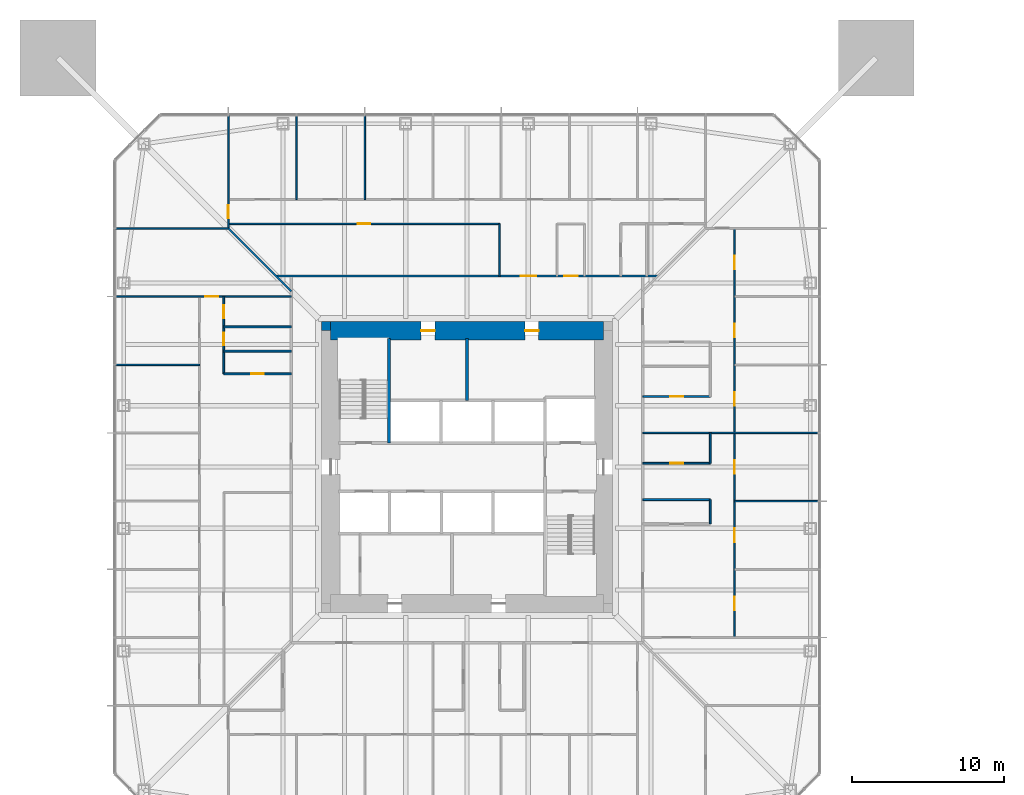
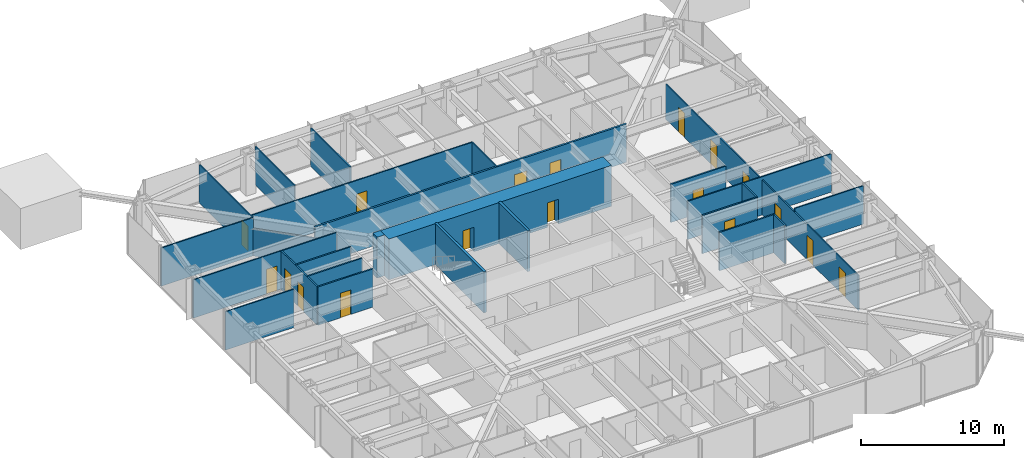
# One storey, part 16 of 26: 26 walls, 18 doors, 18 openings.
"""IFC4 building model written with IfcOpenShell, lengths in metres."""

from ifc_helpers import new_model, si_unit, direction, frame, frame_2d, origin, place, context, subcontext, project, spatial, rectangle, extrude, material, layer, layer_set, type_object, element, fill, save


model = new_model("IFC4")

# Units and contexts
model_context = context("Model", 3, precision=1e-05, world=origin(), true_north=direction((0.0, 1.0)))
body_context = subcontext(model_context, "Body", "Model", "MODEL_VIEW")
ifc_project = project(units=[si_unit("LENGTHUNIT", "METRE"), si_unit("AREAUNIT", "SQUARE_METRE"), si_unit("VOLUMEUNIT", "CUBIC_METRE"), si_unit("PLANEANGLEUNIT", "RADIAN"), si_unit("MASSUNIT", "GRAM", prefix="KILO")], contexts=[model_context])

# Site, building, storey
site_placement = place(None, origin())
site = spatial("IfcSite", under=ifc_project, at=site_placement, CompositionType="ELEMENT")
building_placement = place(site_placement, origin())
building = spatial("IfcBuilding", under=site, at=building_placement, Name="Iwan Alto Co-Living Towers", CompositionType="ELEMENT")
storey_placement = place(building_placement, frame((0.0, 0.0, 39.5)))
storey = spatial("IfcBuildingStorey", under=building, at=storey_placement, Name="L10", CompositionType="ELEMENT", Elevation=39.5)

# Wall, openings, doors
ifc_material_1 = material(Name="Gypsum board")
ifc_layer_1 = layer(ifc_material_1, 0.02490234375, Name="Board", Category="Finish")
ifc_material_2 = material(Name="Steel ASTM A1003 ST33H cold-formed studs", Category="steel")
ifc_layer_2 = layer(ifc_material_2, 0.10009765625, Name="Studs", Category="Framing")
ifc_layer_3 = layer(ifc_material_1, 0.02490234375, Name="Board", Category="Finish")
ifc_layer_set_1 = layer_set([ifc_layer_1, ifc_layer_2, ifc_layer_3], Name="CORRIDOR WALL 150")
wall_type_1 = type_object("IfcWallType", Name="CORRIDOR WALL 150", PredefinedType="PARTITIONING", material=ifc_layer_set_1)
wall_1_placement = place(storey_placement, frame((-12.60009765625, 12.60009765625, 0.0), z_axis=(0.0, 0.0, 1.0), x_axis=(1.0, 0.0, 0.0)))
wall_1 = element("IfcWall", 1, at=wall_1_placement, inside=storey, type_object=wall_type_1, Name="Partition L10", PredefinedType="PARTITIONING", context=body_context, shape_type="SweptSolid", body=[
    extrude(rectangle(XDim=25.2001953125, YDim=0.14990234375, at=frame_2d((12.60009765625, 0.0))), origin(), (0.0, 0.0, 1.0), 3.27001953125),
])
opening_1_placement = place(wall_1_placement, frame((16.14990234375, 0.0, 0.0)))
opening_1 = element("IfcOpeningElement", 2, at=opening_1_placement, cuts=wall_1, Name="Opening D3", PredefinedType="OPENING", context=body_context, shape_type="SweptSolid", body=[
    extrude(rectangle(XDim=1.0, YDim=2.10009765625, at=frame_2d((0.5, 1.050048828125))), frame((0.0, 0.0849609375, 0.0), z_axis=(0.0, -1.0, 0.0), x_axis=(1.0, 0.0, 0.0)), (0.0, 0.0, 1.0), 0.169921875),
])
opening_2_placement = place(wall_1_placement, frame((19.0, 0.0, 0.0)))
opening_2 = element("IfcOpeningElement", 3, at=opening_2_placement, cuts=wall_1, Name="Opening D8", PredefinedType="OPENING", context=body_context, shape_type="SweptSolid", body=[
    extrude(rectangle(XDim=0.89990234375, YDim=2.10009765625, at=frame_2d((0.449951171875, 1.050048828125))), frame((0.0, 0.0849609375, 0.0), z_axis=(0.0, -1.0, 0.0), x_axis=(1.0, 0.0, 0.0)), (0.0, 0.0, 1.0), 0.169921875),
])
ifc_material_3 = material(Name="Steel frame with timber leaf", Category="steel")
door_type_1 = type_object("IfcDoorType", Name="FLAT ENTRANCE DOOR FD30S 1000X2100", OperationType="SINGLE_SWING_LEFT", PredefinedType="DOOR", material=ifc_material_3)
door_1_placement = place(opening_1_placement, origin())
door_1 = element("IfcDoor", 4, at=door_1_placement, inside=storey, type_object=door_type_1, Name="Cluster lounge door L10", OperationType="SINGLE_SWING_LEFT", OverallHeight=2.10009765625, OverallWidth=1.0, PredefinedType="DOOR", context=body_context, shape_type="SweptSolid", body=[
    extrude(rectangle(XDim=1.0, YDim=2.10009765625, at=frame_2d((0.5, 1.050048828125))), frame((0.0, 0.02490234375, 0.0), z_axis=(0.0, -1.0, 0.0), x_axis=(1.0, 0.0, 0.0)), (0.0, 0.0, 1.0), 0.050048828125),
])
fill(opening_1, door_1)
ifc_material_4 = material(Name="Steel frame with timber leaf", Category="steel")
door_type_2 = type_object("IfcDoorType", Name="RISER DOOR FD120 900X2100", OperationType="SINGLE_SWING_LEFT", PredefinedType="DOOR", material=ifc_material_4)
door_2_placement = place(opening_2_placement, origin())
door_2 = element("IfcDoor", 5, at=door_2_placement, inside=storey, type_object=door_type_2, Name="Cleaner's cupboard door L10", OperationType="SINGLE_SWING_LEFT", OverallHeight=2.10009765625, OverallWidth=0.89990234375, PredefinedType="DOOR", context=body_context, shape_type="SweptSolid", body=[
    extrude(rectangle(XDim=0.89990234375, YDim=2.10009765625, at=frame_2d((0.449951171875, 1.050048828125))), frame((0.0, 0.02490234375, 0.0), z_axis=(0.0, -1.0, 0.0), x_axis=(1.0, 0.0, 0.0)), (0.0, 0.0, 1.0), 0.050048828125),
])
fill(opening_2, door_2)

# Walls
ifc_layer_4 = layer(ifc_material_1, 0.012451171875, Name="Board", Category="Finish")
ifc_layer_5 = layer(ifc_material_2, 0.074951171875, Name="Studs", Category="Framing")
ifc_layer_6 = layer(ifc_material_1, 0.012451171875, Name="Board", Category="Finish")
ifc_layer_set_2 = layer_set([ifc_layer_4, ifc_layer_5, ifc_layer_6], Name="PARTITION 100")
wall_type_2 = type_object("IfcWallType", Name="PARTITION 100", PredefinedType="PARTITIONING", material=ifc_layer_set_2)
wall_2_placement = place(storey_placement, frame((17.64990234375, -2.25, 0.0), z_axis=(0.0, 0.0, 1.0), x_axis=(1.0, 0.0, 0.0)))
element("IfcWall", 6, at=wall_2_placement, inside=storey, type_object=wall_type_2, Name="Partition L10", PredefinedType="PARTITIONING", context=body_context, shape_type="SweptSolid", body=[
    extrude(rectangle(XDim=5.5400390625, YDim=0.10009765625, at=frame_2d((2.77001953125, 0.0))), origin(), (0.0, 0.0, 1.0), 3.27001953125),
])
wall_3_placement = place(storey_placement, frame((11.60009765625, 2.25, 0.0), z_axis=(0.0, 0.0, 1.0), x_axis=(1.0, 0.0, 0.0)))
element("IfcWall", 7, at=wall_3_placement, inside=storey, type_object=wall_type_2, Name="Partition L10", PredefinedType="PARTITIONING", context=body_context, shape_type="SweptSolid", body=[
    extrude(rectangle(XDim=11.58984375, YDim=0.10009765625, at=frame_2d((5.794921875, 0.0))), origin(), (0.0, 0.0, 1.0), 3.27001953125),
])
wall_4_placement = place(storey_placement, frame((-23.18994140625, 6.75, 0.0), z_axis=(0.0, 0.0, 1.0), x_axis=(1.0, 0.0, 0.0)))
element("IfcWall", 8, at=wall_4_placement, inside=storey, type_object=wall_type_2, Name="Partition L10", PredefinedType="PARTITIONING", context=body_context, shape_type="SweptSolid", body=[
    extrude(rectangle(XDim=5.5400390625, YDim=0.10009765625, at=frame_2d((2.77001953125, 0.0))), origin(), (0.0, 0.0, 1.0), 3.27001953125),
])

# Wall, opening, door
wall_5_placement = place(storey_placement, frame((-23.18994140625, 11.25, 0.0), z_axis=(0.0, 0.0, 1.0), x_axis=(1.0, 0.0, 0.0)))
wall_5 = element("IfcWall", 9, at=wall_5_placement, inside=storey, type_object=wall_type_2, Name="Partition L10", PredefinedType="PARTITIONING", context=body_context, shape_type="SweptSolid", body=[
    extrude(rectangle(XDim=11.58984375, YDim=0.10009765625, at=frame_2d((5.794921875, 0.0))), origin(), (0.0, 0.0, 1.0), 3.27001953125),
])
opening_3_placement = place(wall_5_placement, frame((5.9150390625, 0.0, 0.0)))
opening_3 = element("IfcOpeningElement", 10, at=opening_3_placement, cuts=wall_5, Name="Opening D2", PredefinedType="OPENING", context=body_context, shape_type="SweptSolid", body=[
    extrude(rectangle(XDim=0.85009765625, YDim=2.10009765625, at=frame_2d((0.425048828125, 1.050048828125))), frame((0.0, 0.06005859375, 0.0), z_axis=(0.0, -1.0, 0.0), x_axis=(1.0, 0.0, 0.0)), (0.0, 0.0, 1.0), 0.1201171875),
])
ifc_material_5 = material(Name="Timber leaf in steel frame", Category="steel")
door_type_3 = type_object("IfcDoorType", Name="ROOM DOOR 850X2100", OperationType="SINGLE_SWING_LEFT", PredefinedType="DOOR", material=ifc_material_5)
door_3_placement = place(opening_3_placement, frame((0.85009765625, 0.0, 0.0), z_axis=(0.0, 0.0, 1.0), x_axis=(-1.0, 0.0, 0.0)))
door_3 = element("IfcDoor", 11, at=door_3_placement, inside=storey, type_object=door_type_3, Name="Iwan study lounge door L10", OperationType="SINGLE_SWING_RIGHT", OverallHeight=2.10009765625, OverallWidth=0.85009765625, PredefinedType="DOOR", context=body_context, shape_type="SweptSolid", body=[
    extrude(rectangle(XDim=0.85009765625, YDim=2.10009765625, at=frame_2d((0.425048828125, 1.050048828125))), frame((0.0, 0.02490234375, 0.0), z_axis=(0.0, -1.0, 0.0), x_axis=(1.0, 0.0, 0.0)), (0.0, 0.0, 1.0), 0.050048828125),
])
fill(opening_3, door_3)

# Wall
wall_6_placement = place(storey_placement, frame((-23.18994140625, 15.75, 0.0), z_axis=(0.0, 0.0, 1.0), x_axis=(1.0, 0.0, 0.0)))
element("IfcWall", 12, at=wall_6_placement, inside=storey, type_object=wall_type_2, Name="Partition L10", PredefinedType="PARTITIONING", context=body_context, shape_type="SweptSolid", body=[
    extrude(rectangle(XDim=7.43994140625, YDim=0.10009765625, at=frame_2d((3.719970703125, 0.0))), origin(), (0.0, 0.0, 1.0), 3.27001953125),
])

# Wall, opening, door
wall_7_placement = place(storey_placement, frame((-15.75, 16.050048828125, 0.0), z_axis=(0.0, 0.0, 1.0), x_axis=(1.0, 0.0, 0.0)))
wall_7 = element("IfcWall", 13, at=wall_7_placement, inside=storey, type_object=wall_type_2, Name="Partition L10", PredefinedType="PARTITIONING", context=body_context, shape_type="SweptSolid", body=[
    extrude(rectangle(XDim=17.89990234375, YDim=0.10009765625, at=frame_2d((8.949951171875, 0.0))), origin(), (0.0, 0.0, 1.0), 3.27001953125),
])
opening_4_placement = place(wall_7_placement, frame((8.52490234375, 0.0, 0.0)))
opening_4 = element("IfcOpeningElement", 14, at=opening_4_placement, cuts=wall_7, Name="Opening D2", PredefinedType="OPENING", context=body_context, shape_type="SweptSolid", body=[
    extrude(rectangle(XDim=0.85009765625, YDim=2.10009765625, at=frame_2d((0.425048828125, 1.050048828125))), frame((0.0, 0.06005859375, 0.0), z_axis=(0.0, -1.0, 0.0), x_axis=(1.0, 0.0, 0.0)), (0.0, 0.0, 1.0), 0.1201171875),
])
door_4_placement = place(opening_4_placement, origin())
door_4 = element("IfcDoor", 15, at=door_4_placement, inside=storey, type_object=door_type_3, Name="Study lounge door L10", OperationType="SINGLE_SWING_LEFT", OverallHeight=2.10009765625, OverallWidth=0.85009765625, PredefinedType="DOOR", context=body_context, shape_type="SweptSolid", body=[
    extrude(rectangle(XDim=0.85009765625, YDim=2.10009765625, at=frame_2d((0.425048828125, 1.050048828125))), frame((0.0, 0.02490234375, 0.0), z_axis=(0.0, -1.0, 0.0), x_axis=(1.0, 0.0, 0.0)), (0.0, 0.0, 1.0), 0.050048828125),
])
fill(opening_4, door_4)

# Wall, openings, doors
wall_8_placement = place(storey_placement, frame((17.64990234375, -11.25, 0.0), z_axis=(0.0, 0.0, 1.0), x_axis=(0.0, 1.0, 0.0)))
wall_8 = element("IfcWall", 16, at=wall_8_placement, inside=storey, type_object=wall_type_2, Name="Partition L10", PredefinedType="PARTITIONING", context=body_context, shape_type="SweptSolid", body=[
    extrude(rectangle(XDim=27.0, YDim=0.10009765625, at=frame_2d((13.5, 0.0))), origin(), (0.0, 0.0, 1.0), 3.0),
])
opening_5_placement = place(wall_8_placement, frame((1.800048828125, 0.0, 0.0)))
opening_5 = element("IfcOpeningElement", 17, at=opening_5_placement, cuts=wall_8, Name="Opening D1", PredefinedType="OPENING", context=body_context, shape_type="SweptSolid", body=[
    extrude(rectangle(XDim=0.89990234375, YDim=2.10009765625, at=frame_2d((0.449951171875, 1.050048828125))), frame((0.0, 0.06005859375, 0.0), z_axis=(0.0, -1.0, 0.0), x_axis=(1.0, 0.0, 0.0)), (0.0, 0.0, 1.0), 0.1201171875),
])
opening_6_placement = place(wall_8_placement, frame((6.300048828125, 0.0, 0.0)))
opening_6 = element("IfcOpeningElement", 18, at=opening_6_placement, cuts=wall_8, Name="Opening D1", PredefinedType="OPENING", context=body_context, shape_type="SweptSolid", body=[
    extrude(rectangle(XDim=0.89990234375, YDim=2.10009765625, at=frame_2d((0.449951171875, 1.050048828125))), frame((0.0, 0.06005859375, 0.0), z_axis=(0.0, -1.0, 0.0), x_axis=(1.0, 0.0, 0.0)), (0.0, 0.0, 1.0), 0.1201171875),
])
opening_7_placement = place(wall_8_placement, frame((10.800048828125, 0.0, 0.0)))
opening_7 = element("IfcOpeningElement", 19, at=opening_7_placement, cuts=wall_8, Name="Opening D1", PredefinedType="OPENING", context=body_context, shape_type="SweptSolid", body=[
    extrude(rectangle(XDim=0.89990234375, YDim=2.10009765625, at=frame_2d((0.449951171875, 1.050048828125))), frame((0.0, 0.06005859375, 0.0), z_axis=(0.0, -1.0, 0.0), x_axis=(1.0, 0.0, 0.0)), (0.0, 0.0, 1.0), 0.1201171875),
])
opening_8_placement = place(wall_8_placement, frame((15.300048828125, 0.0, 0.0)))
opening_8 = element("IfcOpeningElement", 20, at=opening_8_placement, cuts=wall_8, Name="Opening D1", PredefinedType="OPENING", context=body_context, shape_type="SweptSolid", body=[
    extrude(rectangle(XDim=0.89990234375, YDim=2.10009765625, at=frame_2d((0.449951171875, 1.050048828125))), frame((0.0, 0.06005859375, 0.0), z_axis=(0.0, -1.0, 0.0), x_axis=(1.0, 0.0, 0.0)), (0.0, 0.0, 1.0), 0.1201171875),
])
opening_9_placement = place(wall_8_placement, frame((19.800048828125, 0.0, 0.0)))
opening_9 = element("IfcOpeningElement", 21, at=opening_9_placement, cuts=wall_8, Name="Opening D1", PredefinedType="OPENING", context=body_context, shape_type="SweptSolid", body=[
    extrude(rectangle(XDim=0.89990234375, YDim=2.10009765625, at=frame_2d((0.449951171875, 1.050048828125))), frame((0.0, 0.06005859375, 0.0), z_axis=(0.0, -1.0, 0.0), x_axis=(1.0, 0.0, 0.0)), (0.0, 0.0, 1.0), 0.1201171875),
])
opening_10_placement = place(wall_8_placement, frame((24.300048828125, 0.0, 0.0)))
opening_10 = element("IfcOpeningElement", 22, at=opening_10_placement, cuts=wall_8, Name="Opening D1", PredefinedType="OPENING", context=body_context, shape_type="SweptSolid", body=[
    extrude(rectangle(XDim=0.89990234375, YDim=2.10009765625, at=frame_2d((0.449951171875, 1.050048828125))), frame((0.0, 0.06005859375, 0.0), z_axis=(0.0, -1.0, 0.0), x_axis=(1.0, 0.0, 0.0)), (0.0, 0.0, 1.0), 0.1201171875),
])
ifc_material_6 = material(Name="Timber leaf in steel frame", Category="steel")
door_type_4 = type_object("IfcDoorType", Name="BEDROOM DOOR 900X2100", OperationType="SINGLE_SWING_LEFT", PredefinedType="DOOR", material=ifc_material_6)
door_5_placement = place(opening_5_placement, origin())
door_5 = element("IfcDoor", 23, at=door_5_placement, inside=storey, type_object=door_type_4, Name="Study bedroom door L10", OperationType="SINGLE_SWING_LEFT", OverallHeight=2.10009765625, OverallWidth=0.89990234375, PredefinedType="DOOR", context=body_context, shape_type="SweptSolid", body=[
    extrude(rectangle(XDim=0.89990234375, YDim=2.10009765625, at=frame_2d((0.449951171875, 1.050048828125))), frame((0.0, 0.02490234375, 0.0), z_axis=(0.0, -1.0, 0.0), x_axis=(1.0, 0.0, 0.0)), (0.0, 0.0, 1.0), 0.050048828125),
])
fill(opening_5, door_5)
door_6_placement = place(opening_6_placement, origin())
door_6 = element("IfcDoor", 24, at=door_6_placement, inside=storey, type_object=door_type_4, Name="Study bedroom door L10", OperationType="SINGLE_SWING_LEFT", OverallHeight=2.10009765625, OverallWidth=0.89990234375, PredefinedType="DOOR", context=body_context, shape_type="SweptSolid", body=[
    extrude(rectangle(XDim=0.89990234375, YDim=2.10009765625, at=frame_2d((0.449951171875, 1.050048828125))), frame((0.0, 0.02490234375, 0.0), z_axis=(0.0, -1.0, 0.0), x_axis=(1.0, 0.0, 0.0)), (0.0, 0.0, 1.0), 0.050048828125),
])
fill(opening_6, door_6)
door_7_placement = place(opening_7_placement, origin())
door_7 = element("IfcDoor", 25, at=door_7_placement, inside=storey, type_object=door_type_4, Name="Study bedroom door L10", OperationType="SINGLE_SWING_RIGHT", OverallHeight=2.10009765625, OverallWidth=0.89990234375, PredefinedType="DOOR", context=body_context, shape_type="SweptSolid", body=[
    extrude(rectangle(XDim=0.89990234375, YDim=2.10009765625, at=frame_2d((0.449951171875, 1.050048828125))), frame((0.0, 0.02490234375, 0.0), z_axis=(0.0, -1.0, 0.0), x_axis=(1.0, 0.0, 0.0)), (0.0, 0.0, 1.0), 0.050048828125),
])
fill(opening_7, door_7)
door_8_placement = place(opening_8_placement, origin())
door_8 = element("IfcDoor", 26, at=door_8_placement, inside=storey, type_object=door_type_4, Name="Study bedroom door L10", OperationType="SINGLE_SWING_LEFT", OverallHeight=2.10009765625, OverallWidth=0.89990234375, PredefinedType="DOOR", context=body_context, shape_type="SweptSolid", body=[
    extrude(rectangle(XDim=0.89990234375, YDim=2.10009765625, at=frame_2d((0.449951171875, 1.050048828125))), frame((0.0, 0.02490234375, 0.0), z_axis=(0.0, -1.0, 0.0), x_axis=(1.0, 0.0, 0.0)), (0.0, 0.0, 1.0), 0.050048828125),
])
fill(opening_8, door_8)
door_9_placement = place(opening_9_placement, origin())
door_9 = element("IfcDoor", 27, at=door_9_placement, inside=storey, type_object=door_type_4, Name="Study bedroom door L10", OperationType="SINGLE_SWING_LEFT", OverallHeight=2.10009765625, OverallWidth=0.89990234375, PredefinedType="DOOR", context=body_context, shape_type="SweptSolid", body=[
    extrude(rectangle(XDim=0.89990234375, YDim=2.10009765625, at=frame_2d((0.449951171875, 1.050048828125))), frame((0.0, 0.02490234375, 0.0), z_axis=(0.0, -1.0, 0.0), x_axis=(1.0, 0.0, 0.0)), (0.0, 0.0, 1.0), 0.050048828125),
])
fill(opening_9, door_9)
door_10_placement = place(opening_10_placement, origin())
door_10 = element("IfcDoor", 28, at=door_10_placement, inside=storey, type_object=door_type_4, Name="Study bedroom door L10", OperationType="SINGLE_SWING_RIGHT", OverallHeight=2.10009765625, OverallWidth=0.89990234375, PredefinedType="DOOR", context=body_context, shape_type="SweptSolid", body=[
    extrude(rectangle(XDim=0.89990234375, YDim=2.10009765625, at=frame_2d((0.449951171875, 1.050048828125))), frame((0.0, 0.02490234375, 0.0), z_axis=(0.0, -1.0, 0.0), x_axis=(1.0, 0.0, 0.0)), (0.0, 0.0, 1.0), 0.050048828125),
])
fill(opening_10, door_10)

# Walls
wall_9_placement = place(storey_placement, frame((2.14990234375, 12.60009765625, 0.0), z_axis=(0.0, 0.0, 1.0), x_axis=(0.0, 1.0, 0.0)))
element("IfcWall", 29, at=wall_9_placement, inside=storey, type_object=wall_type_2, Name="Partition L10", PredefinedType="PARTITIONING", context=body_context, shape_type="SweptSolid", body=[
    extrude(rectangle(XDim=3.449951171875, YDim=0.10009765625, at=frame_2d((1.72509765625, 0.0))), origin(), (0.0, 0.0, 1.0), 3.27001953125),
])
for number, where, z_axis, x_axis, name in (
    (30, (-6.75, 17.64990234375, 0.0), (0.0, 0.0, 1.0), (0.0, 1.0, 0.0), "Partition L10"),
    (31, (-11.25, 17.64990234375, 0.0), (0.0, 0.0, 1.0), (0.0, 1.0, 0.0), "Partition L10"),
):
    element("IfcWall", number, at=place(storey_placement, frame(where, z_axis=z_axis, x_axis=x_axis)), inside=storey, type_object=wall_type_2, Name=name, PredefinedType="PARTITIONING", context=body_context, shape_type="SweptSolid", body=[
        extrude(rectangle(XDim=5.5400390625, YDim=0.10009765625, at=frame_2d((2.77001953125, 0.0))), origin(), (0.0, 0.0, 1.0), 3.27001953125),
    ])

# Wall, opening, door
wall_10_placement = place(storey_placement, frame((-15.75, 15.75, 0.0), z_axis=(0.0, 0.0, 1.0), x_axis=(0.0, 1.0, 0.0)))
wall_10 = element("IfcWall", 32, at=wall_10_placement, inside=storey, type_object=wall_type_2, Name="Partition L10", PredefinedType="PARTITIONING", context=body_context, shape_type="SweptSolid", body=[
    extrude(rectangle(XDim=7.43994140625, YDim=0.10009765625, at=frame_2d((3.719970703125, 0.0))), origin(), (0.0, 0.0, 1.0), 3.27001953125),
])
opening_11_placement = place(wall_10_placement, frame((0.675048828125, 0.0, 0.0)))
opening_11 = element("IfcOpeningElement", 33, at=opening_11_placement, cuts=wall_10, Name="Opening D2", PredefinedType="OPENING", context=body_context, shape_type="SweptSolid", body=[
    extrude(rectangle(XDim=0.85009765625, YDim=2.10009765625, at=frame_2d((0.425048828125, 1.050048828125))), frame((0.0, 0.06005859375, 0.0), z_axis=(0.0, -1.0, 0.0), x_axis=(1.0, 0.0, 0.0)), (0.0, 0.0, 1.0), 0.1201171875),
])
door_11_placement = place(opening_11_placement, frame((0.85009765625, 0.0, 0.0), z_axis=(0.0, 0.0, 1.0), x_axis=(-1.0, 0.0, 0.0)))
door_11 = element("IfcDoor", 34, at=door_11_placement, inside=storey, type_object=door_type_3, Name="Shared kitchen and dining room door L10", OperationType="SINGLE_SWING_RIGHT", OverallHeight=2.10009765625, OverallWidth=0.85009765625, PredefinedType="DOOR", context=body_context, shape_type="SweptSolid", body=[
    extrude(rectangle(XDim=0.85009765625, YDim=2.10009765625, at=frame_2d((0.425048828125, 1.050048828125))), frame((0.0, 0.02490234375, 0.0), z_axis=(0.0, -1.0, 0.0), x_axis=(1.0, 0.0, 0.0)), (0.0, 0.0, 1.0), 0.050048828125),
])
fill(opening_11, door_11)

# Walls
wall_11_placement = place(storey_placement, frame((-11.60009765625, 11.60009765625, 0.0), z_axis=(0.0, 0.0, 1.0), x_axis=(-0.707106781187, 0.707106781187, 0.0)))
element("IfcWall", 35, at=wall_11_placement, inside=storey, type_object=wall_type_2, Name="Partition L10", PredefinedType="PARTITIONING", context=body_context, shape_type="SweptSolid", body=[
    extrude(rectangle(XDim=5.868896484375, YDim=0.10009765625, at=frame_2d((2.9345703125, 0.0))), origin(), (0.0, 0.0, 1.0), 2.343017578125),
])
ifc_material_7 = material(Name="Concrete f'c 70 MPa", Category="concrete")
ifc_layer_7 = layer(ifc_material_7, 0.199951171875)
ifc_layer_set_3 = layer_set([ifc_layer_7], Name="SHAFT WALL 200")
wall_type_3 = type_object("IfcWallType", Name="SHAFT WALL 200", PredefinedType="SOLIDWALL", material=ifc_layer_set_3)
wall_12_placement = place(storey_placement, frame((0.0, 4.39990234375, 0.0), z_axis=(0.0, 0.0, 1.0), x_axis=(0.0, 1.0, 0.0)))
element("IfcWall", 36, at=wall_12_placement, inside=storey, type_object=wall_type_3, Name="Shaft wall L10", PredefinedType="SOLIDWALL", context=body_context, shape_type="SweptSolid", body=[
    extrude(rectangle(XDim=4.090087890625, YDim=0.199951171875, at=frame_2d((2.044921875, 0.0))), origin(), (0.0, 0.0, 1.0), 3.5),
])
wall_13_placement = place(storey_placement, frame((-5.14990234375, 1.60009765625, 0.0), z_axis=(0.0, 0.0, 1.0), x_axis=(0.0, 1.0, 0.0)))
element("IfcWall", 37, at=wall_13_placement, inside=storey, type_object=wall_type_3, Name="Shaft wall L10", PredefinedType="SOLIDWALL", context=body_context, shape_type="SweptSolid", body=[
    extrude(rectangle(XDim=6.889892578125, YDim=0.199951171875, at=frame_2d((3.44482421875, 0.0))), origin(), (0.0, 0.0, 1.0), 3.5),
])
ifc_material_8 = material(Name="Concrete f'c 70 MPa", Category="concrete")
ifc_layer_8 = layer(ifc_material_8, 0.60009765625)
ifc_layer_set_4 = layer_set([ifc_layer_8], Name="T1 CORE CORNER FILL 600")
wall_type_4 = type_object("IfcWallType", Name="T1 CORE CORNER FILL 600", PredefinedType="SOLIDWALL", material=ifc_layer_set_4)
wall_14_placement = place(storey_placement, frame((-9.60009765625, 9.300048828125, 0.0), z_axis=(0.0, 0.0, 1.0), x_axis=(1.0, 0.0, 0.0)))
element("IfcWall", 38, at=wall_14_placement, inside=storey, type_object=wall_type_4, Name="T1 core corner NW L10", PredefinedType="SOLIDWALL", context=body_context, shape_type="SweptSolid", body=[
    extrude(rectangle(XDim=0.60009765625, YDim=0.60009765625, at=frame_2d((0.300048828125, 0.0))), origin(), (0.0, 0.0, 1.0), 3.5),
])

# Wall, openings, doors
ifc_material_9 = material(Name="Concrete f'c 70 MPa", Category="concrete")
ifc_layer_9 = layer(ifc_material_9, 1.199951171875)
ifc_layer_set_5 = layer_set([ifc_layer_9], Name="T1 CORE WALL 1200")
wall_type_5 = type_object("IfcWallType", Name="T1 CORE WALL 1200", PredefinedType="SHEAR", material=ifc_layer_set_5)
wall_15_placement = place(storey_placement, frame((9.0, 9.0, 0.0), z_axis=(0.0, 0.0, 1.0), x_axis=(-1.0, 0.0, 0.0)))
wall_15 = element("IfcWall", 39, at=wall_15_placement, inside=storey, type_object=wall_type_5, Name="T1 core wall N L10", PredefinedType="SHEAR", context=body_context, shape_type="SweptSolid", body=[
    extrude(rectangle(XDim=18.0, YDim=1.199951171875, at=frame_2d((9.0, 0.0))), origin(), (0.0, 0.0, 1.0), 3.5),
])
opening_12_placement = place(wall_15_placement, frame((11.125, 0.0, 0.0)))
opening_12 = element("IfcOpeningElement", 40, at=opening_12_placement, cuts=wall_15, Name="Opening D8", PredefinedType="OPENING", context=body_context, shape_type="SweptSolid", body=[
    extrude(rectangle(XDim=0.89990234375, YDim=2.10009765625, at=frame_2d((0.449951171875, 1.050048828125))), frame((0.0, 0.60986328125, 0.0), z_axis=(0.0, -1.0, 0.0), x_axis=(1.0, 0.0, 0.0)), (0.0, 0.0, 1.0), 1.219970703125),
])
opening_13_placement = place(wall_15_placement, frame((4.27490234375, 0.0, 0.0)))
opening_13 = element("IfcOpeningElement", 41, at=opening_13_placement, cuts=wall_15, Name="Opening D8", PredefinedType="OPENING", context=body_context, shape_type="SweptSolid", body=[
    extrude(rectangle(XDim=0.89990234375, YDim=2.10009765625, at=frame_2d((0.449951171875, 1.050048828125))), frame((0.0, 0.60986328125, 0.0), z_axis=(0.0, -1.0, 0.0), x_axis=(1.0, 0.0, 0.0)), (0.0, 0.0, 1.0), 1.219970703125),
])
door_12_placement = place(opening_12_placement, origin())
door_12 = element("IfcDoor", 42, at=door_12_placement, inside=storey, type_object=door_type_2, Name="Electrical riser core door L10", OperationType="SINGLE_SWING_RIGHT", OverallHeight=2.10009765625, OverallWidth=0.89990234375, PredefinedType="DOOR", context=body_context, shape_type="SweptSolid", body=[
    extrude(rectangle(XDim=0.89990234375, YDim=2.10009765625, at=frame_2d((0.449951171875, 1.050048828125))), frame((0.0, 0.02490234375, 0.0), z_axis=(0.0, -1.0, 0.0), x_axis=(1.0, 0.0, 0.0)), (0.0, 0.0, 1.0), 0.050048828125),
])
fill(opening_12, door_12)
door_13_placement = place(opening_13_placement, origin())
door_13 = element("IfcDoor", 43, at=door_13_placement, inside=storey, type_object=door_type_2, Name="Water and drainage riser core door L10", OperationType="SINGLE_SWING_RIGHT", OverallHeight=2.10009765625, OverallWidth=0.89990234375, PredefinedType="DOOR", context=body_context, shape_type="SweptSolid", body=[
    extrude(rectangle(XDim=0.89990234375, YDim=2.10009765625, at=frame_2d((0.449951171875, 1.050048828125))), frame((0.0, 0.02490234375, 0.0), z_axis=(0.0, -1.0, 0.0), x_axis=(1.0, 0.0, 0.0)), (0.0, 0.0, 1.0), 0.050048828125),
])
fill(opening_13, door_13)

# Wall
ifc_material_10 = material(Name="Cement board")
ifc_layer_10 = layer(ifc_material_10, 0.012451171875, Name="Board", Category="Finish")
ifc_layer_11 = layer(ifc_material_2, 0.094970703125, Name="Studs", Category="Framing")
ifc_layer_12 = layer(ifc_material_10, 0.012451171875, Name="Board", Category="Finish")
ifc_layer_set_6 = layer_set([ifc_layer_10, ifc_layer_11, ifc_layer_12], Name="WET AREA PARTITION 120")
wall_type_6 = type_object("IfcWallType", Name="WET AREA PARTITION 120", PredefinedType="PARTITIONING", material=ifc_layer_set_6)
wall_16_placement = place(storey_placement, frame((11.60009765625, -2.14990234375, 0.0), z_axis=(0.0, 0.0, 1.0), x_axis=(1.0, 0.0, 0.0)))
element("IfcWall", 44, at=wall_16_placement, inside=storey, type_object=wall_type_6, Name="Partition L10", PredefinedType="PARTITIONING", context=body_context, shape_type="SweptSolid", body=[
    extrude(rectangle(XDim=4.449951171875, YDim=0.1201171875, at=frame_2d((2.22509765625, 0.0))), origin(), (0.0, 0.0, 1.0), 3.27001953125),
])

# Wall, opening, door
wall_17_placement = place(storey_placement, frame((11.60009765625, 0.25, 0.0), z_axis=(0.0, 0.0, 1.0), x_axis=(1.0, 0.0, 0.0)))
wall_17 = element("IfcWall", 45, at=wall_17_placement, inside=storey, type_object=wall_type_6, Name="Partition L10", PredefinedType="PARTITIONING", context=body_context, shape_type="SweptSolid", body=[
    extrude(rectangle(XDim=4.449951171875, YDim=0.1201171875, at=frame_2d((2.22509765625, 0.0))), origin(), (0.0, 0.0, 1.0), 3.27001953125),
])
opening_14_placement = place(wall_17_placement, frame((1.800048828125, 0.0, 0.0)))
opening_14 = element("IfcOpeningElement", 46, at=opening_14_placement, cuts=wall_17, Name="Opening D2", PredefinedType="OPENING", context=body_context, shape_type="SweptSolid", body=[
    extrude(rectangle(XDim=0.85009765625, YDim=2.10009765625, at=frame_2d((0.425048828125, 1.050048828125))), frame((0.0, 0.070068359375, 0.0), z_axis=(0.0, -1.0, 0.0), x_axis=(1.0, 0.0, 0.0)), (0.0, 0.0, 1.0), 0.14013671875),
])
door_14_placement = place(opening_14_placement, frame((0.85009765625, 0.0, 0.0), z_axis=(0.0, 0.0, 1.0), x_axis=(-1.0, 0.0, 0.0)))
door_14 = element("IfcDoor", 47, at=door_14_placement, inside=storey, type_object=door_type_3, Name="Laundry door L10", OperationType="SINGLE_SWING_RIGHT", OverallHeight=2.10009765625, OverallWidth=0.85009765625, PredefinedType="DOOR", context=body_context, shape_type="SweptSolid", body=[
    extrude(rectangle(XDim=0.85009765625, YDim=2.10009765625, at=frame_2d((0.425048828125, 1.050048828125))), frame((0.0, 0.02490234375, 0.0), z_axis=(0.0, -1.0, 0.0), x_axis=(1.0, 0.0, 0.0)), (0.0, 0.0, 1.0), 0.050048828125),
])
fill(opening_14, door_14)

wall_18_placement = place(storey_placement, frame((11.60009765625, 4.64990234375, 0.0), z_axis=(0.0, 0.0, 1.0), x_axis=(1.0, 0.0, 0.0)))
wall_18 = element("IfcWall", 48, at=wall_18_placement, inside=storey, type_object=wall_type_6, Name="Partition L10", PredefinedType="PARTITIONING", context=body_context, shape_type="SweptSolid", body=[
    extrude(rectangle(XDim=4.449951171875, YDim=0.1201171875, at=frame_2d((2.22509765625, 0.0))), origin(), (0.0, 0.0, 1.0), 3.27001953125),
])
opening_15_placement = place(wall_18_placement, frame((1.800048828125, 0.0, 0.0)))
opening_15 = element("IfcOpeningElement", 49, at=opening_15_placement, cuts=wall_18, Name="Opening D2", PredefinedType="OPENING", context=body_context, shape_type="SweptSolid", body=[
    extrude(rectangle(XDim=0.85009765625, YDim=2.10009765625, at=frame_2d((0.425048828125, 1.050048828125))), frame((0.0, 0.070068359375, 0.0), z_axis=(0.0, -1.0, 0.0), x_axis=(1.0, 0.0, 0.0)), (0.0, 0.0, 1.0), 0.14013671875),
])
door_15_placement = place(opening_15_placement, frame((0.85009765625, 0.0, 0.0), z_axis=(0.0, 0.0, 1.0), x_axis=(-1.0, 0.0, 0.0)))
door_15 = element("IfcDoor", 50, at=door_15_placement, inside=storey, type_object=door_type_3, Name="Laundry door L10", OperationType="SINGLE_SWING_RIGHT", OverallHeight=2.10009765625, OverallWidth=0.85009765625, PredefinedType="DOOR", context=body_context, shape_type="SweptSolid", body=[
    extrude(rectangle(XDim=0.85009765625, YDim=2.10009765625, at=frame_2d((0.425048828125, 1.050048828125))), frame((0.0, 0.02490234375, 0.0), z_axis=(0.0, -1.0, 0.0), x_axis=(1.0, 0.0, 0.0)), (0.0, 0.0, 1.0), 0.050048828125),
])
fill(opening_15, door_15)

wall_19_placement = place(storey_placement, frame((-16.050048828125, 6.14990234375, 0.0), z_axis=(0.0, 0.0, 1.0), x_axis=(1.0, 0.0, 0.0)))
wall_19 = element("IfcWall", 51, at=wall_19_placement, inside=storey, type_object=wall_type_6, Name="Partition L10", PredefinedType="PARTITIONING", context=body_context, shape_type="SweptSolid", body=[
    extrude(rectangle(XDim=4.449951171875, YDim=0.1201171875, at=frame_2d((2.22509765625, 0.0))), origin(), (0.0, 0.0, 1.0), 3.27001953125),
])
opening_16_placement = place(wall_19_placement, frame((1.800048828125, 0.0, 0.0)))
opening_16 = element("IfcOpeningElement", 52, at=opening_16_placement, cuts=wall_19, Name="Opening D2", PredefinedType="OPENING", context=body_context, shape_type="SweptSolid", body=[
    extrude(rectangle(XDim=0.85009765625, YDim=2.10009765625, at=frame_2d((0.425048828125, 1.050048828125))), frame((0.0, 0.070068359375, 0.0), z_axis=(0.0, -1.0, 0.0), x_axis=(1.0, 0.0, 0.0)), (0.0, 0.0, 1.0), 0.14013671875),
])
door_16_placement = place(opening_16_placement, frame((0.85009765625, 0.0, 0.0), z_axis=(0.0, 0.0, 1.0), x_axis=(-1.0, 0.0, 0.0)))
door_16 = element("IfcDoor", 53, at=door_16_placement, inside=storey, type_object=door_type_3, Name="Bathroom door L10", OperationType="SINGLE_SWING_LEFT", OverallHeight=2.10009765625, OverallWidth=0.85009765625, PredefinedType="DOOR", context=body_context, shape_type="SweptSolid", body=[
    extrude(rectangle(XDim=0.85009765625, YDim=2.10009765625, at=frame_2d((0.425048828125, 1.050048828125))), frame((0.0, 0.02490234375, 0.0), z_axis=(0.0, -1.0, 0.0), x_axis=(1.0, 0.0, 0.0)), (0.0, 0.0, 1.0), 0.050048828125),
])
fill(opening_16, door_16)

# Walls
for number, where, z_axis, x_axis, name in (
    (54, (-16.050048828125, 7.64990234375, 0.0), (0.0, 0.0, 1.0), (1.0, 0.0, 0.0), "Partition L10"),
    (55, (-16.050048828125, 9.25, 0.0), (0.0, 0.0, 1.0), (1.0, 0.0, 0.0), "Partition L10"),
):
    element("IfcWall", number, at=place(storey_placement, frame(where, z_axis=z_axis, x_axis=x_axis)), inside=storey, type_object=wall_type_6, Name=name, PredefinedType="PARTITIONING", context=body_context, shape_type="SweptSolid", body=[
        extrude(rectangle(XDim=4.449951171875, YDim=0.1201171875, at=frame_2d((2.22509765625, 0.0))), origin(), (0.0, 0.0, 1.0), 3.27001953125),
    ])
wall_20_placement = place(storey_placement, frame((16.050048828125, -3.75, 0.0), z_axis=(0.0, 0.0, 1.0), x_axis=(0.0, 1.0, 0.0)))
element("IfcWall", 56, at=wall_20_placement, inside=storey, type_object=wall_type_6, Name="Partition L10", PredefinedType="PARTITIONING", context=body_context, shape_type="SweptSolid", body=[
    extrude(rectangle(XDim=1.60009765625, YDim=0.1201171875, at=frame_2d((0.800048828125, 0.0))), origin(), (0.0, 0.0, 1.0), 3.27001953125),
])
wall_21_placement = place(storey_placement, frame((16.050048828125, 0.25, 0.0), z_axis=(0.0, 0.0, 1.0), x_axis=(0.0, 1.0, 0.0)))
element("IfcWall", 57, at=wall_21_placement, inside=storey, type_object=wall_type_6, Name="Partition L10", PredefinedType="PARTITIONING", context=body_context, shape_type="SweptSolid", body=[
    extrude(rectangle(XDim=2.0, YDim=0.1201171875, at=frame_2d((1.0, 0.0))), origin(), (0.0, 0.0, 1.0), 3.27001953125),
])

# Wall, openings, doors
wall_22_placement = place(storey_placement, frame((-16.050048828125, 6.14990234375, 0.0), z_axis=(0.0, 0.0, 1.0), x_axis=(0.0, 1.0, 0.0)))
wall_22 = element("IfcWall", 58, at=wall_22_placement, inside=storey, type_object=wall_type_6, Name="Partition L10", PredefinedType="PARTITIONING", context=body_context, shape_type="SweptSolid", body=[
    extrude(rectangle(XDim=5.10009765625, YDim=0.1201171875, at=frame_2d((2.550048828125, 0.0))), origin(), (0.0, 0.0, 1.0), 3.27001953125),
])
opening_17_placement = place(wall_22_placement, frame((3.675048828125, 0.0, 0.0)))
opening_17 = element("IfcOpeningElement", 59, at=opening_17_placement, cuts=wall_22, Name="Opening D2", PredefinedType="OPENING", context=body_context, shape_type="SweptSolid", body=[
    extrude(rectangle(XDim=0.85009765625, YDim=2.10009765625, at=frame_2d((0.425048828125, 1.050048828125))), frame((0.0, 0.070068359375, 0.0), z_axis=(0.0, -1.0, 0.0), x_axis=(1.0, 0.0, 0.0)), (0.0, 0.0, 1.0), 0.14013671875),
])
opening_18_placement = place(wall_22_placement, frame((1.875, 0.0, 0.0)))
opening_18 = element("IfcOpeningElement", 60, at=opening_18_placement, cuts=wall_22, Name="Opening D2", PredefinedType="OPENING", context=body_context, shape_type="SweptSolid", body=[
    extrude(rectangle(XDim=0.85009765625, YDim=2.10009765625, at=frame_2d((0.425048828125, 1.050048828125))), frame((0.0, 0.070068359375, 0.0), z_axis=(0.0, -1.0, 0.0), x_axis=(1.0, 0.0, 0.0)), (0.0, 0.0, 1.0), 0.14013671875),
])
door_17_placement = place(opening_17_placement, origin())
door_17 = element("IfcDoor", 61, at=door_17_placement, inside=storey, type_object=door_type_3, Name="Laundry door L10", OperationType="SINGLE_SWING_RIGHT", OverallHeight=2.10009765625, OverallWidth=0.85009765625, PredefinedType="DOOR", context=body_context, shape_type="SweptSolid", body=[
    extrude(rectangle(XDim=0.85009765625, YDim=2.10009765625, at=frame_2d((0.425048828125, 1.050048828125))), frame((0.0, 0.02490234375, 0.0), z_axis=(0.0, -1.0, 0.0), x_axis=(1.0, 0.0, 0.0)), (0.0, 0.0, 1.0), 0.050048828125),
])
fill(opening_17, door_17)
door_18_placement = place(opening_18_placement, origin())
door_18 = element("IfcDoor", 62, at=door_18_placement, inside=storey, type_object=door_type_3, Name="Accessible bathroom door L10", OperationType="SINGLE_SWING_RIGHT", OverallHeight=2.10009765625, OverallWidth=0.85009765625, PredefinedType="DOOR", context=body_context, shape_type="SweptSolid", body=[
    extrude(rectangle(XDim=0.85009765625, YDim=2.10009765625, at=frame_2d((0.425048828125, 1.050048828125))), frame((0.0, 0.02490234375, 0.0), z_axis=(0.0, -1.0, 0.0), x_axis=(1.0, 0.0, 0.0)), (0.0, 0.0, 1.0), 0.050048828125),
])
fill(opening_18, door_18)

save(model, "model.ifc")
